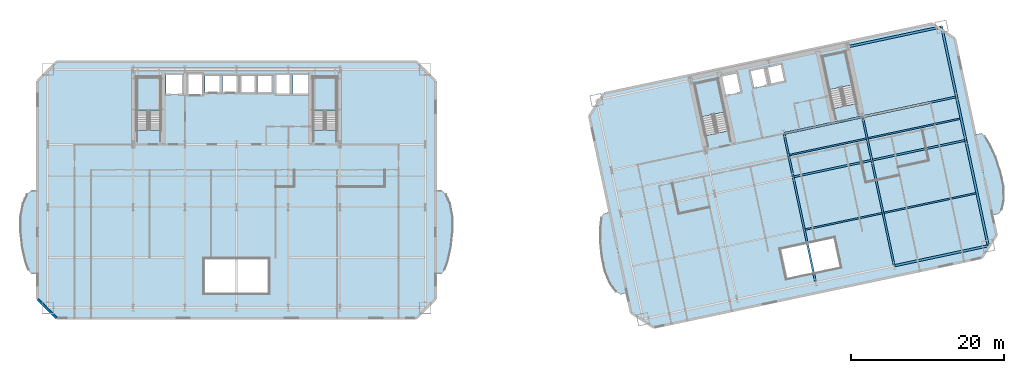
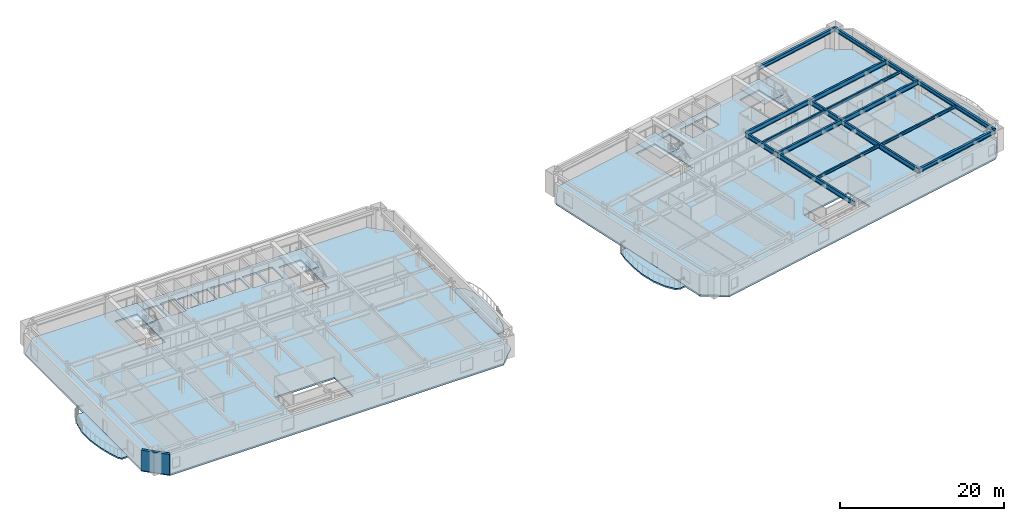
# One storey, part 4 of 16: 17 beams, 10 slabs, 1 wall, 4 elements without a shape of their own.
"""IFC4 building model written with IfcOpenShell, lengths in metres."""

from ifc_helpers import new_model, si_unit, direction, frame, frame_2d, origin, origin_2d, place, context, subcontext, project, spatial, polyline, rectangle, i_section, outline, extrude, material, layer, layer_set, material_profile, profile_set, type_object, element, aggregate, save


model = new_model("IFC4")

# Units and contexts
model_context = context("Model", 3, precision=1e-05, world=origin(), true_north=direction((0.0, 1.0)))
body_context = subcontext(model_context, "Body", "Model", "MODEL_VIEW")
ifc_project = project(units=[si_unit("LENGTHUNIT", "METRE"), si_unit("AREAUNIT", "SQUARE_METRE"), si_unit("VOLUMEUNIT", "CUBIC_METRE"), si_unit("PLANEANGLEUNIT", "RADIAN"), si_unit("MASSUNIT", "GRAM", prefix="KILO")], contexts=[model_context])

# Site, building, storey
site_placement = place(None, origin())
site = spatial("IfcSite", under=ifc_project, at=site_placement, CompositionType="ELEMENT")
building_placement = place(site_placement, origin())
building = spatial("IfcBuilding", under=site, at=building_placement, Name="Haevon Station Towers", CompositionType="ELEMENT")
storey_placement = place(building_placement, frame((0.0, 0.0, 53.699951171875)))
storey = spatial("IfcBuildingStorey", under=building, at=storey_placement, Name="L13", CompositionType="ELEMENT", Elevation=53.699951171875)

# Beams
ifc_material_1 = material(Name="Steel S355", Category="steel")
ifc_material_profile_1 = material_profile(ifc_material_1, i_section(OverallWidth=0.25, OverallDepth=0.699951171875, WebThickness=0.012939453125, FlangeThickness=0.02392578125, at=origin_2d()), Name="H-700x250x13x24")
ifc_profile_set_1 = profile_set([ifc_material_profile_1], Name="Steel S355")
beam_type_1 = type_object("IfcBeamType", Name="BM-G700", PredefinedType="BEAM", material=ifc_profile_set_1)
beam_1_placement = place(storey_placement, frame((110.228759765625, 33.9521484375, 2.699951171875), z_axis=(0.978146794194, 0.207915485254, 0.0), x_axis=(-0.207915485254, 0.978146794194, 0.0)))
element("IfcBeam", 1, at=beam_1_placement, inside=storey, type_object=beam_type_1, Name="BM-T2U-L13-02-03", PredefinedType="BEAM", context=body_context, shape_type="SweptSolid", body=[
    extrude(i_section(OverallWidth=0.25, OverallDepth=0.699951171875, WebThickness=0.012939453125, FlangeThickness=0.02392578125, at=origin_2d()), origin(), (0.0, 0.0, 1.0), 10.5),
])
beam_2_placement = place(storey_placement, frame((120.499267578125, 36.13525390625, 2.699951171875), z_axis=(0.978146686984, 0.207915989628, 0.0), x_axis=(-0.207915989628, 0.978146686984, 0.0)))
element("IfcBeam", 2, at=beam_2_placement, inside=storey, type_object=beam_type_1, Name="BM-T2U-L13-02-04", PredefinedType="BEAM", context=body_context, shape_type="SweptSolid", body=[
    extrude(i_section(OverallWidth=0.25, OverallDepth=0.699951171875, WebThickness=0.012939453125, FlangeThickness=0.02392578125, at=origin_2d()), origin(), (0.0, 0.0, 1.0), 12.550048828125),
])
beam_3_placement = place(storey_placement, frame((109.02294921875, 39.62548828125, 2.699951171875), z_axis=(0.978146794194, 0.207915485254, 0.0), x_axis=(-0.207915485254, 0.978146794194, 0.0)))
element("IfcBeam", 3, at=beam_3_placement, inside=storey, type_object=beam_type_1, Name="BM-T2U-L13-03-03", PredefinedType="BEAM", context=body_context, shape_type="SweptSolid", body=[
    extrude(i_section(OverallWidth=0.25, OverallDepth=0.699951171875, WebThickness=0.012939453125, FlangeThickness=0.02392578125, at=origin_2d()), origin(), (0.0, 0.0, 1.0), 10.5),
])
beam_4_placement = place(storey_placement, frame((119.29345703125, 41.80859375, 2.699951171875), z_axis=(0.978145846015, 0.207919945948, 0.0), x_axis=(-0.207919945948, 0.978145846015, 0.0)))
element("IfcBeam", 4, at=beam_4_placement, inside=storey, type_object=beam_type_1, Name="BM-T2U-L13-03-04", PredefinedType="BEAM", context=body_context, shape_type="SweptSolid", body=[
    extrude(i_section(OverallWidth=0.25, OverallDepth=0.699951171875, WebThickness=0.012939453125, FlangeThickness=0.02392578125, at=origin_2d()), origin(), (0.0, 0.0, 1.0), 12.5498046875),
])
beam_5_placement = place(storey_placement, frame((113.160400390625, 20.160400390625, 2.699951171875), z_axis=(-0.207919431961, 0.978145955271, 0.0), x_axis=(-0.978145955271, -0.207919431961, 0.0)))
element("IfcBeam", 5, at=beam_5_placement, inside=storey, type_object=beam_type_1, Name="BM-T2V-L13-03-01", PredefinedType="BEAM", context=body_context, shape_type="SweptSolid", body=[
    extrude(i_section(OverallWidth=0.25, OverallDepth=0.699951171875, WebThickness=0.012939453125, FlangeThickness=0.02392578125, at=origin_2d()), origin(), (0.0, 0.0, 1.0), 14.099853515625),
])
beam_6_placement = place(storey_placement, frame((110.228759765625, 33.9521484375, 2.699951171875), z_axis=(-0.207896009217, 0.97815093383, 0.0), x_axis=(-0.97815093383, -0.207896009217, 0.0)))
element("IfcBeam", 6, at=beam_6_placement, inside=storey, type_object=beam_type_1, Name="BM-T2V-L13-03-02", PredefinedType="BEAM", context=body_context, shape_type="SweptSolid", body=[
    extrude(i_section(OverallWidth=0.25, OverallDepth=0.699951171875, WebThickness=0.012939453125, FlangeThickness=0.02392578125, at=origin_2d()), origin(), (0.0, 0.0, 1.0), 5.800048828125),
])
beam_7_placement = place(storey_placement, frame((123.430908203125, 22.343505859375, 2.699951171875), z_axis=(-0.207919431961, 0.978145955271, 0.0), x_axis=(-0.978145955271, -0.207919431961, 0.0)))
element("IfcBeam", 7, at=beam_7_placement, inside=storey, type_object=beam_type_1, Name="BM-T2V-L13-04-01", PredefinedType="BEAM", context=body_context, shape_type="SweptSolid", body=[
    extrude(i_section(OverallWidth=0.25, OverallDepth=0.699951171875, WebThickness=0.012939453125, FlangeThickness=0.02392578125, at=origin_2d()), origin(), (0.0, 0.0, 1.0), 14.099853515625),
])
beam_8_placement = place(storey_placement, frame((120.499267578125, 36.13525390625, 2.699951171875), z_axis=(-0.207896009217, 0.97815093383, 0.0), x_axis=(-0.97815093383, -0.207896009217, 0.0)))
element("IfcBeam", 8, at=beam_8_placement, inside=storey, type_object=beam_type_1, Name="BM-T2V-L13-04-02", PredefinedType="BEAM", context=body_context, shape_type="SweptSolid", body=[
    extrude(i_section(OverallWidth=0.25, OverallDepth=0.699951171875, WebThickness=0.012939453125, FlangeThickness=0.02392578125, at=origin_2d()), origin(), (0.0, 0.0, 1.0), 5.800048828125),
])
ifc_material_profile_2 = material_profile(ifc_material_1, i_section(OverallWidth=0.199951171875, OverallDepth=0.39990234375, WebThickness=0.008056640625, FlangeThickness=0.012939453125, at=origin_2d()), Name="H-400x200x8x13")
ifc_profile_set_2 = profile_set([ifc_material_profile_2], Name="Steel S355")
beam_type_2 = type_object("IfcBeamType", Name="BM-J400", PredefinedType="JOIST", material=ifc_profile_set_2)
beam_9_placement = place(storey_placement, frame((111.80224609375, 27.0791015625, 2.85009765625), z_axis=(0.97814448317, 0.207926357261, 0.0), x_axis=(-0.207926357261, 0.97814448317, 0.0)))
element("IfcBeam", 9, at=beam_9_placement, inside=storey, type_object=beam_type_2, Name="BM-T2J-L13-01-03", PredefinedType="JOIST", context=body_context, shape_type="SweptSolid", body=[
    extrude(i_section(OverallWidth=0.199951171875, OverallDepth=0.39990234375, WebThickness=0.008056640625, FlangeThickness=0.012939453125, at=origin_2d()), origin(), (0.0, 0.0, 1.0), 10.27978515625),
])
beam_10_placement = place(storey_placement, frame((122.07275390625, 29.26220703125, 2.85009765625), z_axis=(0.97814878519, 0.20790611831, 0.0), x_axis=(-0.20790611831, 0.97814878519, 0.0)))
element("IfcBeam", 10, at=beam_10_placement, inside=storey, type_object=beam_type_2, Name="BM-T2J-L13-01-04", PredefinedType="JOIST", context=body_context, shape_type="SweptSolid", body=[
    extrude(i_section(OverallWidth=0.199951171875, OverallDepth=0.39990234375, WebThickness=0.008056640625, FlangeThickness=0.012939453125, at=origin_2d()), origin(), (0.0, 0.0, 1.0), 12.330078125),
])
beam_11_placement = place(storey_placement, frame((109.7333984375, 36.811767578125, 2.85009765625), z_axis=(0.978150339653, 0.207898804801, 0.0), x_axis=(-0.207898804801, 0.978150339653, 0.0)))
element("IfcBeam", 11, at=beam_11_placement, inside=storey, type_object=beam_type_2, Name="BM-T2J-L13-02-03", PredefinedType="JOIST", context=body_context, shape_type="SweptSolid", body=[
    extrude(i_section(OverallWidth=0.199951171875, OverallDepth=0.39990234375, WebThickness=0.008056640625, FlangeThickness=0.012939453125, at=origin_2d()), origin(), (0.0, 0.0, 1.0), 10.280029296875),
])
beam_12_placement = place(storey_placement, frame((120.00390625, 38.994873046875, 2.85009765625), z_axis=(0.97814878519, 0.20790611831, 0.0), x_axis=(-0.20790611831, 0.97814878519, 0.0)))
element("IfcBeam", 12, at=beam_12_placement, inside=storey, type_object=beam_type_2, Name="BM-T2J-L13-02-04", PredefinedType="JOIST", context=body_context, shape_type="SweptSolid", body=[
    extrude(i_section(OverallWidth=0.199951171875, OverallDepth=0.39990234375, WebThickness=0.008056640625, FlangeThickness=0.012939453125, at=origin_2d()), origin(), (0.0, 0.0, 1.0), 12.330078125),
])
ifc_material_profile_3 = material_profile(ifc_material_1, i_section(OverallWidth=0.300048828125, OverallDepth=0.587890625, WebThickness=0.011962890625, FlangeThickness=0.02001953125, at=origin_2d()), Name="H-588x300x12x20")
ifc_profile_set_3 = profile_set([ifc_material_profile_3], Name="Steel S355")
beam_type_3 = type_object("IfcBeamType", Name="BM-SP588", PredefinedType="SPANDREL", material=ifc_profile_set_3)
beam_13_placement = place(storey_placement, frame((123.430908203125, 22.343505859375, 2.756103515625), z_axis=(0.978149802248, 0.20790133324, 0.0), x_axis=(-0.20790133324, 0.978149802248, 0.0)))
element("IfcBeam", 13, at=beam_13_placement, inside=storey, type_object=beam_type_3, Name="BM-T2U-L13-01-04", PredefinedType="SPANDREL", context=body_context, shape_type="SweptSolid", body=[
    extrude(i_section(OverallWidth=0.300048828125, OverallDepth=0.587890625, WebThickness=0.011962890625, FlangeThickness=0.02001953125, at=origin_2d()), origin(), (0.0, 0.0, 1.0), 12.5498046875),
])
beam_14_placement = place(storey_placement, frame((117.349365234375, 50.954345703125, 2.756103515625), z_axis=(0.978150643069, 0.207897377242, 0.0), x_axis=(-0.207897377242, 0.978150643069, 0.0)))
element("IfcBeam", 14, at=beam_14_placement, inside=storey, type_object=beam_type_3, Name="BM-T2U-L13-04-04", PredefinedType="SPANDREL", context=body_context, shape_type="SweptSolid", body=[
    extrude(i_section(OverallWidth=0.300048828125, OverallDepth=0.587890625, WebThickness=0.011962890625, FlangeThickness=0.02001953125, at=origin_2d()), origin(), (0.0, 0.0, 1.0), 12.550048828125),
])
beam_15_placement = place(storey_placement, frame((135.70654296875, 24.95263671875, 2.756103515625), z_axis=(-0.207899344185, 0.97815022501, 0.0), x_axis=(-0.97815022501, -0.207899344185, 0.0)))
element("IfcBeam", 15, at=beam_15_placement, inside=storey, type_object=beam_type_3, Name="BM-T2V-L13-05-01", PredefinedType="SPANDREL", context=body_context, shape_type="SweptSolid", body=[
    extrude(i_section(OverallWidth=0.300048828125, OverallDepth=0.587890625, WebThickness=0.011962890625, FlangeThickness=0.02001953125, at=origin_2d()), origin(), (0.0, 0.0, 1.0), 14.10009765625),
])
beam_16_placement = place(storey_placement, frame((132.775146484375, 38.74462890625, 2.756103515625), z_axis=(-0.207936282142, 0.978142373363, 0.0), x_axis=(-0.978142373363, -0.207936282142, 0.0)))
element("IfcBeam", 16, at=beam_16_placement, inside=storey, type_object=beam_type_3, Name="BM-T2V-L13-05-02", PredefinedType="SPANDREL", context=body_context, shape_type="SweptSolid", body=[
    extrude(i_section(OverallWidth=0.300048828125, OverallDepth=0.587890625, WebThickness=0.011962890625, FlangeThickness=0.02001953125, at=origin_2d()), origin(), (0.0, 0.0, 1.0), 5.800048828125),
])
beam_17_placement = place(storey_placement, frame((131.569091796875, 44.41796875, 2.756103515625), z_axis=(-0.207902477038, 0.978149559138, 0.0), x_axis=(-0.978149559138, -0.207902477038, 0.0)))
element("IfcBeam", 17, at=beam_17_placement, inside=storey, type_object=beam_type_3, Name="BM-T2V-L13-05-03", PredefinedType="SPANDREL", context=body_context, shape_type="SweptSolid", body=[
    extrude(i_section(OverallWidth=0.300048828125, OverallDepth=0.587890625, WebThickness=0.011962890625, FlangeThickness=0.02001953125, at=origin_2d()), origin(), (0.0, 0.0, 1.0), 9.349853515625),
])

# Slabs
ifc_material_2 = material(Name="Concrete C40/50", Category="concrete")
ifc_layer_1 = layer(ifc_material_2, 0.219970703125)
ifc_layer_set_1 = layer_set([ifc_layer_1], Name="Concrete C40/50")
slab_type_1 = type_object("IfcSlabType", Name="SL-BALC220", PredefinedType="FLOOR", material=ifc_layer_set_1)
slab_1_placement = place(storey_placement, frame((0.0, 0.0, -0.219970703125)))
element("IfcSlab", 18, at=slab_1_placement, inside=storey, type_object=slab_type_1, Name="Tower 1 L13 West SCALLOPED BALCONY", PredefinedType="FLOOR", context=body_context, shape_type="SweptSolid", body=[
    extrude(outline(polyline([(11.4951171875, 32.14990234375), (10.64501953125, 32.14990234375), (10.14697265625, 31.739013671875), (9.602783203125, 30.568359375), (9.2451171875, 28.81640625), (9.215576171875, 26.75), (9.48779296875, 24.68359375), (9.900634765625, 22.931640625), (10.309814453125, 21.760986328125), (10.64501953125, 21.35009765625), (11.4951171875, 21.35009765625), (11.4951171875, 32.14990234375)])), origin(), (0.0, 0.0, 1.0), 0.219970703125),
])
slab_2_placement = place(storey_placement, frame((0.0, 0.0, -0.219970703125)))
element("IfcSlab", 19, at=slab_2_placement, inside=storey, type_object=slab_type_1, Name="Tower 1 L13 East SCALLOPED BALCONY", PredefinedType="FLOOR", context=body_context, shape_type="SweptSolid", body=[
    extrude(outline(polyline([(63.5048828125, 21.35009765625), (64.35498046875, 21.35009765625), (64.690185546875, 21.760986328125), (65.099365234375, 22.931640625), (65.51220703125, 24.68359375), (65.784423828125, 26.75), (65.7548828125, 28.81640625), (65.397216796875, 30.568359375), (64.85302734375, 31.739013671875), (64.35498046875, 32.14990234375), (63.5048828125, 32.14990234375), (63.5048828125, 21.35009765625)])), origin(), (0.0, 0.0, 1.0), 0.219970703125),
])
slab_3_placement = place(storey_placement, frame((0.0, 0.0, -0.219970703125)))
element("IfcSlab", 20, at=slab_3_placement, inside=storey, type_object=slab_type_1, Name="Tower 2 L13 West SCALLOPED BALCONY", PredefinedType="FLOOR", context=body_context, shape_type="SweptSolid", body=[
    extrude(outline(polyline([(86.25830078125, 29.3427734375), (85.427001953125, 29.166015625), (85.1845703125, 28.6943359375), (85.027587890625, 27.464111328125), (84.988037109375, 25.664794921875), (85.1513671875, 23.5869140625), (85.610107421875, 21.57177734375), (86.323974609375, 19.932373046875), (87.099609375, 18.900634765625), (87.67236328125, 18.60205078125), (88.503662109375, 18.77880859375), (86.25830078125, 29.3427734375)])), origin(), (0.0, 0.0, 1.0), 0.219970703125),
])
slab_4_placement = place(storey_placement, frame((0.0, 0.0, -0.219970703125)))
element("IfcSlab", 21, at=slab_4_placement, inside=storey, type_object=slab_type_1, Name="Tower 2 L13 East SCALLOPED BALCONY", PredefinedType="FLOOR", context=body_context, shape_type="SweptSolid", body=[
    extrude(outline(polyline([(136.2470703125, 28.927001953125), (137.07861328125, 29.103759765625), (137.48046875, 29.609375), (137.769287109375, 30.867431640625), (137.7548828125, 32.6552734375), (137.35400390625, 34.682861328125), (136.658203125, 36.647705078125), (135.89013671875, 38.275390625), (135.24658203125, 39.335205078125), (134.833251953125, 39.667724609375), (134.001708984375, 39.490966796875), (136.2470703125, 28.927001953125)])), origin(), (0.0, 0.0, 1.0), 0.219970703125),
])

# Stair, slab
stair_type = type_object("IfcStairType", Name="STR-DL1450", PredefinedType="USERDEFINED", material=ifc_material_2)
stair_1_placement = place(storey_placement, origin())
stair_1 = element("IfcStair", 22, at=stair_1_placement, inside=storey, type_object=stair_type, Name="L13 Escape Stair ST1", ObjectType="TWO_RETURN_STAIR", PredefinedType="USERDEFINED")
ifc_layer_2 = layer(ifc_material_2, 0.199951171875)
ifc_layer_set_2 = layer_set([ifc_layer_2], Name="Concrete C40/50")
slab_type_2 = type_object("IfcSlabType", Name="SL-LND200", PredefinedType="LANDING", material=ifc_layer_set_2)
slab_5_placement = place(storey_placement, frame((0.0, 0.0, 1.449951171875)))
slab_5 = element("IfcSlab", 23, at=slab_5_placement, type_object=slab_type_2, Name="L13 ST1 Half Landing 1", PredefinedType="LANDING", context=body_context, shape_type="SweptSolid", body=[
    extrude(outline(polyline([(27.580078125, 42.56396484375), (27.580078125, 47.0), (24.47998046875, 47.0), (24.47998046875, 42.56396484375), (27.580078125, 42.56396484375)])), origin(), (0.0, 0.0, 1.0), 0.2001953125),
])
aggregate(stair_1, [slab_5])

stair_2_placement = place(storey_placement, origin())
stair_2 = element("IfcStair", 24, at=stair_2_placement, inside=storey, type_object=stair_type, Name="L13 Escape Stair ST2", ObjectType="TWO_RETURN_STAIR", PredefinedType="USERDEFINED")
slab_6_placement = place(storey_placement, frame((0.0, 0.0, 1.449951171875)))
slab_6 = element("IfcSlab", 25, at=slab_6_placement, type_object=slab_type_2, Name="L13 ST2 Half Landing 1", PredefinedType="LANDING", context=body_context, shape_type="SweptSolid", body=[
    extrude(outline(polyline([(50.6201171875, 42.56396484375), (50.6201171875, 47.0), (47.52001953125, 47.0), (47.52001953125, 42.56396484375), (50.6201171875, 42.56396484375)])), origin(), (0.0, 0.0, 1.0), 0.2001953125),
])
aggregate(stair_2, [slab_6])

stair_3_placement = place(storey_placement, origin())
stair_3 = element("IfcStair", 26, at=stair_3_placement, inside=storey, type_object=stair_type, Name="L13 Escape Stair ST3", ObjectType="TWO_RETURN_STAIR", PredefinedType="USERDEFINED")
slab_7_placement = place(storey_placement, frame((0.0, 0.0, 1.449951171875)))
slab_7 = element("IfcSlab", 27, at=slab_7_placement, type_object=slab_type_2, Name="L13 ST3 Half Landing 1", PredefinedType="LANDING", context=body_context, shape_type="SweptSolid", body=[
    extrude(outline(polyline([(101.2880859375, 42.44287109375), (100.36572265625, 46.781982421875), (97.33349609375, 46.137451171875), (98.255859375, 41.79833984375), (101.2880859375, 42.44287109375)])), origin(), (0.0, 0.0, 1.0), 0.2001953125),
])
aggregate(stair_3, [slab_7])

stair_4_placement = place(storey_placement, origin())
stair_4 = element("IfcStair", 28, at=stair_4_placement, inside=storey, type_object=stair_type, Name="L13 Escape Stair ST4", ObjectType="TWO_RETURN_STAIR", PredefinedType="USERDEFINED")
slab_8_placement = place(storey_placement, frame((0.0, 0.0, 1.449951171875)))
slab_8 = element("IfcSlab", 29, at=slab_8_placement, type_object=slab_type_2, Name="L13 ST4 Half Landing 1", PredefinedType="LANDING", context=body_context, shape_type="SweptSolid", body=[
    extrude(outline(polyline([(117.975341796875, 45.989990234375), (117.052978515625, 50.328857421875), (114.020751953125, 49.684326171875), (114.943115234375, 45.345458984375), (117.975341796875, 45.989990234375)])), origin(), (0.0, 0.0, 1.0), 0.2001953125),
])
aggregate(stair_4, [slab_8])

# Slabs
ifc_layer_3 = layer(ifc_material_2, 0.25)
ifc_layer_set_3 = layer_set([ifc_layer_3], Name="Concrete C40/50")
slab_type_3 = type_object("IfcSlabType", Name="SL-TW250", PredefinedType="FLOOR", material=ifc_layer_set_3)
slab_9_placement = place(storey_placement, frame((0.0, 0.0, -0.25)))
element("IfcSlab", 30, at=slab_9_placement, inside=storey, type_object=slab_type_3, Name="SL-T1-L13", PredefinedType="FLOOR", context=body_context, shape_type="SweptSolid", body=[
    extrude(outline(polyline([(14.0, 15.5), (61.0, 15.5), (63.5, 18.0), (63.5, 46.5), (61.0, 49.0), (14.0, 49.0), (11.5, 46.5), (11.5, 18.0), (14.0, 15.5)]), holes=[polyline([(27.580078125, 40.055908203125), (27.580078125, 47.0), (24.47998046875, 47.0), (24.47998046875, 40.055908203125), (27.580078125, 40.055908203125)]), polyline([(50.6201171875, 40.055908203125), (50.6201171875, 47.0), (47.52001953125, 47.0), (47.52001953125, 40.055908203125), (50.6201171875, 40.055908203125)]), polyline([(28.300048828125, 44.699951171875), (30.5, 44.699951171875), (30.5, 47.39990234375), (28.300048828125, 47.39990234375), (28.300048828125, 44.699951171875)]), polyline([(31.050048828125, 44.60009765625), (33.14990234375, 44.60009765625), (33.14990234375, 47.5), (31.050048828125, 47.5), (31.050048828125, 44.60009765625)]), polyline([(33.39990234375, 44.89990234375), (35.39990234375, 44.89990234375), (35.39990234375, 47.300048828125), (33.39990234375, 47.300048828125), (33.39990234375, 44.89990234375)]), polyline([(35.64990234375, 44.89990234375), (37.64990234375, 44.89990234375), (37.64990234375, 47.300048828125), (35.64990234375, 47.300048828125), (35.64990234375, 44.89990234375)]), polyline([(38.0, 44.89990234375), (40.0, 44.89990234375), (40.0, 47.300048828125), (38.0, 47.300048828125), (38.0, 44.89990234375)]), polyline([(40.25, 44.89990234375), (42.25, 44.89990234375), (42.25, 47.300048828125), (40.25, 47.300048828125), (40.25, 44.89990234375)]), polyline([(42.60009765625, 44.699951171875), (44.60009765625, 44.699951171875), (44.60009765625, 47.39990234375), (42.60009765625, 47.39990234375), (42.60009765625, 44.699951171875)]), polyline([(44.85009765625, 44.699951171875), (46.85009765625, 44.699951171875), (46.85009765625, 47.39990234375), (44.85009765625, 47.39990234375), (44.85009765625, 44.699951171875)]), polyline([(33.300048828125, 18.699951171875), (41.699951171875, 18.699951171875), (41.699951171875, 23.300048828125), (33.300048828125, 23.300048828125), (33.300048828125, 18.699951171875)])]), origin(), (0.0, 0.0, 1.0), 0.25),
])
slab_10_placement = place(storey_placement, frame((0.0, 0.0, -0.25)))
element("IfcSlab", 31, at=slab_10_placement, inside=storey, type_object=slab_type_3, Name="SL-T2-L13", PredefinedType="FLOOR", context=body_context, shape_type="SweptSolid", body=[
    extrude(outline(polyline([(92.01953125, 14.28662109375), (134.862548828125, 23.39306640625), (136.7880859375, 26.358154296875), (131.330322265625, 52.03466796875), (128.365234375, 53.960205078125), (85.5224609375, 44.853759765625), (83.5966796875, 41.888427734375), (89.054443359375, 16.212158203125), (92.01953125, 14.28662109375)]), holes=[polyline([(101.8095703125, 39.98974609375), (100.36572265625, 46.781982421875), (97.33349609375, 46.137451171875), (98.77734375, 39.34521484375), (101.8095703125, 39.98974609375)]), polyline([(118.496826171875, 43.53662109375), (117.052978515625, 50.328857421875), (114.020751953125, 49.684326171875), (115.464599609375, 42.89208984375), (118.496826171875, 43.53662109375)]), polyline([(101.43212890625, 44.554931640625), (103.486328125, 44.99169921875), (102.9248046875, 47.632568359375), (100.870849609375, 47.196044921875), (101.43212890625, 44.554931640625)]), polyline([(105.009765625, 45.519775390625), (106.966064453125, 45.935791015625), (106.467041015625, 48.283203125), (104.5107421875, 47.867431640625), (105.009765625, 45.519775390625)]), polyline([(107.259521484375, 45.998046875), (109.2158203125, 46.413818359375), (108.716796875, 48.761474609375), (106.760498046875, 48.345703125), (107.259521484375, 45.998046875)]), polyline([(109.379150390625, 20.634521484375), (116.421875, 22.131591796875), (115.590087890625, 26.044189453125), (108.54736328125, 24.547119140625), (109.379150390625, 20.634521484375)])]), origin(), (0.0, 0.0, 1.0), 0.25),
])

# Wall
ifc_material_3 = material(Name="Precast concrete C45/55", Category="concrete")
ifc_layer_4 = layer(ifc_material_3, 0.340087890625)
ifc_layer_set_4 = layer_set([ifc_layer_4], Name="Precast concrete C45/55")
wall_type = type_object("IfcWallType", Name="WL-EXT-PIER340", PredefinedType="SOLIDWALL", material=ifc_layer_set_4)
wall_placement = place(storey_placement, frame((14.0, 15.5, 0.0), z_axis=(0.0, 0.0, 1.0), x_axis=(-0.707106781187, 0.707106781187, 0.0)))
element("IfcWall", 32, at=wall_placement, inside=storey, type_object=wall_type, Name="WL-T1-L13-SWC", PredefinedType="SOLIDWALL", context=body_context, shape_type="SweptSolid", body=[
    extrude(rectangle(XDim=3.53564453125, YDim=0.340087890625, at=frame_2d((1.767822265625, 0.0))), origin(), (0.0, 0.0, 1.0), 3.030029296875),
])

save(model, "model.ifc")
